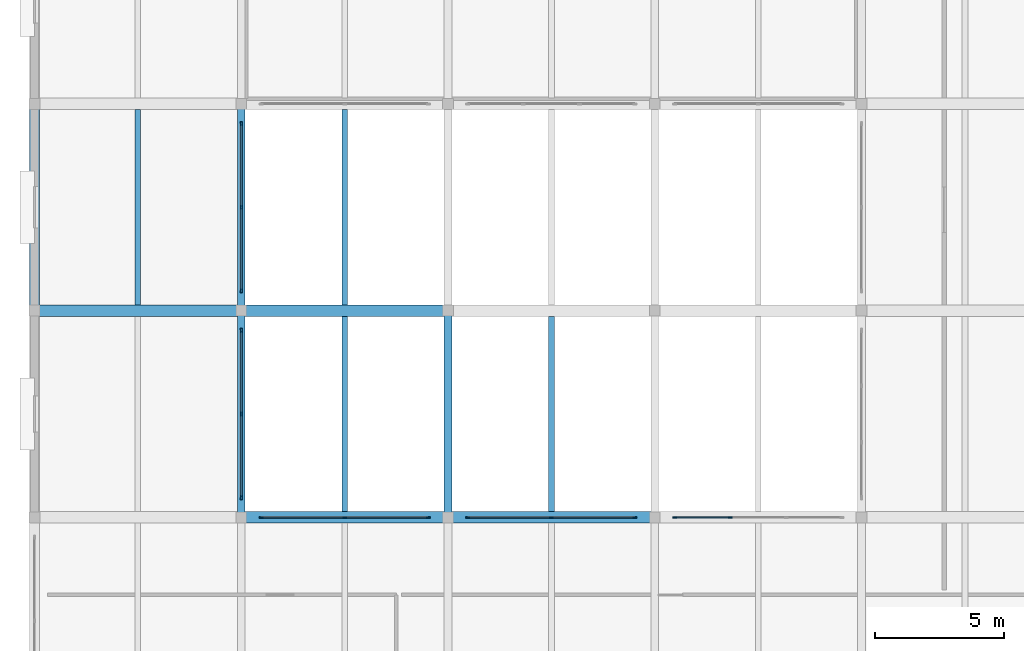
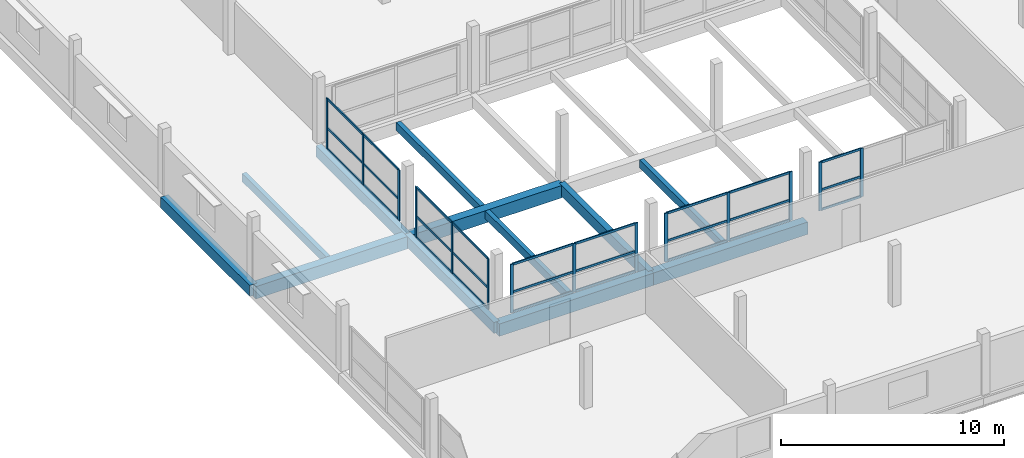
# One storey, part 7 of 51: 41 members, 12 beams, 5 elements without a shape of their own.
"""IFC4 building model written with IfcOpenShell, lengths in metres."""

from ifc_helpers import new_model, si_unit, direction, frame, origin, origin_2d, place, context, subcontext, project, spatial, rectangle, extrude, material, material_profile, profile_set, type_object, element, aggregate, save


model = new_model("IFC4")

# Units and contexts
model_context = context("Model", 3, precision=1e-05, world=origin(), true_north=direction((0.0, 1.0)))
body_context = subcontext(model_context, "Body", "Model", "MODEL_VIEW")
ifc_project = project(units=[si_unit("LENGTHUNIT", "METRE"), si_unit("AREAUNIT", "SQUARE_METRE"), si_unit("VOLUMEUNIT", "CUBIC_METRE"), si_unit("PLANEANGLEUNIT", "RADIAN"), si_unit("MASSUNIT", "GRAM", prefix="KILO")], contexts=[model_context])

# Site, building, storey
site_placement = place(None, origin())
site = spatial("IfcSite", under=ifc_project, at=site_placement, CompositionType="ELEMENT")
building_placement = place(site_placement, origin())
building = spatial("IfcBuilding", under=site, at=building_placement, Name="Vharandega Faculty of Natural Sciences", CompositionType="ELEMENT")
storey_placement = place(building_placement, frame((0.0, 0.0, 14.39990234375)))
storey = spatial("IfcBuildingStorey", under=building, at=storey_placement, Name="L03", CompositionType="ELEMENT", Elevation=14.39990234375)

# Curtain wall, members
ifc_material_1 = material(Name="Aluminium and solar-control glass curtain wall", Category="aluminium")
curtain_wall_type_1 = type_object("IfcCurtainWallType", Name="Unitised Curtain Wall System CW-22", PredefinedType="NOTDEFINED", material=ifc_material_1)
curtain_wall_1_placement = place(storey_placement, origin())
curtain_wall_1 = element("IfcCurtainWall", 1, at=curtain_wall_1_placement, inside=storey, type_object=curtain_wall_type_1, Name="Curtain Wall CW-L03-161", PredefinedType="NOTDEFINED")
ifc_material_2 = material(Name="Thermally broken aluminium 6063-T6", Category="aluminium")
ifc_material_profile_1 = material_profile(ifc_material_2, rectangle(XDim=0.06005859375, YDim=0.159912109375, at=origin_2d()), Name="ALU 60x160")
ifc_profile_set_1 = profile_set([ifc_material_profile_1], Name="Thermally broken aluminium 6063-T6")
member_type_1 = type_object("IfcMemberType", Name="CW Mullion 60x160", PredefinedType="MULLION", material=ifc_profile_set_1)
member_1_placement = place(storey_placement, frame((8.77001953125, 16.0, 0.0), z_axis=(0.0, 0.0, 1.0), x_axis=(0.0, 1.0, 0.0)))
member_1 = element("IfcMember", 2, at=member_1_placement, type_object=member_type_1, Name="CW-22 mullion 1", PredefinedType="MULLION", context=body_context, shape_type="SweptSolid", body=[
    extrude(rectangle(XDim=0.06005859375, YDim=0.159912109375, at=origin_2d()), origin(), (0.0, 0.0, 1.0), 2.66015625),
])
member_2_placement = place(storey_placement, frame((12.0, 16.0, 0.0), z_axis=(0.0, 0.0, 1.0), x_axis=(0.0, 1.0, 0.0)))
member_2 = element("IfcMember", 3, at=member_2_placement, type_object=member_type_1, Name="CW-22 mullion 2", PredefinedType="MULLION", context=body_context, shape_type="SweptSolid", body=[
    extrude(rectangle(XDim=0.06005859375, YDim=0.159912109375, at=origin_2d()), origin(), (0.0, 0.0, 1.0), 2.66015625),
])
member_3_placement = place(storey_placement, frame((15.22998046875, 16.0, 0.0), z_axis=(0.0, 0.0, 1.0), x_axis=(0.0, 1.0, 0.0)))
member_3 = element("IfcMember", 4, at=member_3_placement, type_object=member_type_1, Name="CW-22 mullion 3", PredefinedType="MULLION", context=body_context, shape_type="SweptSolid", body=[
    extrude(rectangle(XDim=0.06005859375, YDim=0.159912109375, at=origin_2d()), origin(), (0.0, 0.0, 1.0), 2.66015625),
])

ifc_material_3 = material(Name="Aluminium and solar-control glass curtain wall", Category="aluminium")
curtain_wall_type_2 = type_object("IfcCurtainWallType", Name="Unitised Curtain Wall System CW-24", PredefinedType="NOTDEFINED", material=ifc_material_3)
curtain_wall_2_placement = place(storey_placement, origin())
curtain_wall_2 = element("IfcCurtainWall", 5, at=curtain_wall_2_placement, inside=storey, type_object=curtain_wall_type_2, Name="Curtain Wall CW-L03-163", PredefinedType="NOTDEFINED")
member_4_placement = place(storey_placement, frame((16.77001953125, 16.0, 0.0), z_axis=(0.0, 0.0, 1.0), x_axis=(0.0, 1.0, 0.0)))
member_4 = element("IfcMember", 6, at=member_4_placement, type_object=member_type_1, Name="CW-24 mullion 1", PredefinedType="MULLION", context=body_context, shape_type="SweptSolid", body=[
    extrude(rectangle(XDim=0.06005859375, YDim=0.159912109375, at=origin_2d()), origin(), (0.0, 0.0, 1.0), 2.66015625),
])
member_5_placement = place(storey_placement, frame((20.0, 16.0, 0.0), z_axis=(0.0, 0.0, 1.0), x_axis=(0.0, 1.0, 0.0)))
member_5 = element("IfcMember", 7, at=member_5_placement, type_object=member_type_1, Name="CW-24 mullion 2", PredefinedType="MULLION", context=body_context, shape_type="SweptSolid", body=[
    extrude(rectangle(XDim=0.06005859375, YDim=0.159912109375, at=origin_2d()), origin(), (0.0, 0.0, 1.0), 2.66015625),
])
member_6_placement = place(storey_placement, frame((23.22998046875, 16.0, 0.0), z_axis=(0.0, 0.0, 1.0), x_axis=(0.0, 1.0, 0.0)))
member_6 = element("IfcMember", 8, at=member_6_placement, type_object=member_type_1, Name="CW-24 mullion 3", PredefinedType="MULLION", context=body_context, shape_type="SweptSolid", body=[
    extrude(rectangle(XDim=0.06005859375, YDim=0.159912109375, at=origin_2d()), origin(), (0.0, 0.0, 1.0), 2.66015625),
])

ifc_material_4 = material(Name="Aluminium and solar-control glass curtain wall", Category="aluminium")
curtain_wall_type_3 = type_object("IfcCurtainWallType", Name="Unitised Curtain Wall System CW-26", PredefinedType="NOTDEFINED", material=ifc_material_4)
curtain_wall_3_placement = place(storey_placement, origin())
curtain_wall_3 = element("IfcCurtainWall", 9, at=curtain_wall_3_placement, inside=storey, type_object=curtain_wall_type_3, Name="Curtain Wall CW-L03-165", PredefinedType="NOTDEFINED")
member_7_placement = place(storey_placement, frame((24.77001953125, 16.0, 0.0), z_axis=(0.0, 0.0, 1.0), x_axis=(0.0, 1.0, 0.0)))
member_7 = element("IfcMember", 10, at=member_7_placement, type_object=member_type_1, Name="CW-26 mullion 1", PredefinedType="MULLION", context=body_context, shape_type="SweptSolid", body=[
    extrude(rectangle(XDim=0.06005859375, YDim=0.159912109375, at=origin_2d()), origin(), (0.0, 0.0, 1.0), 2.66015625),
])
member_8_placement = place(storey_placement, frame((26.913330078125, 16.0, 0.0), z_axis=(0.0, 0.0, 1.0), x_axis=(0.0, 1.0, 0.0)))
member_8 = element("IfcMember", 11, at=member_8_placement, type_object=member_type_1, Name="CW-26 mullion 2", PredefinedType="MULLION", context=body_context, shape_type="SweptSolid", body=[
    extrude(rectangle(XDim=0.06005859375, YDim=0.159912109375, at=origin_2d()), origin(), (0.0, 0.0, 1.0), 2.66015625),
])

ifc_material_5 = material(Name="Aluminium and solar-control glass curtain wall", Category="aluminium")
curtain_wall_type_4 = type_object("IfcCurtainWallType", Name="Unitised Curtain Wall System CW-28", PredefinedType="NOTDEFINED", material=ifc_material_5)
curtain_wall_4_placement = place(storey_placement, origin())
curtain_wall_4 = element("IfcCurtainWall", 12, at=curtain_wall_4_placement, inside=storey, type_object=curtain_wall_type_4, Name="Curtain Wall CW-L03-167", PredefinedType="NOTDEFINED")
member_9_placement = place(storey_placement, frame((8.0, 16.77001953125, 0.0), z_axis=(0.0, 0.0, 1.0), x_axis=(-1.0, 0.0, 0.0)))
member_9 = element("IfcMember", 13, at=member_9_placement, type_object=member_type_1, Name="CW-28 mullion 1", PredefinedType="MULLION", context=body_context, shape_type="SweptSolid", body=[
    extrude(rectangle(XDim=0.06005859375, YDim=0.159912109375, at=origin_2d()), origin(), (0.0, 0.0, 1.0), 2.780029296875),
])
member_10_placement = place(storey_placement, frame((8.0, 20.0, 0.0), z_axis=(0.0, 0.0, 1.0), x_axis=(-1.0, 0.0, 0.0)))
member_10 = element("IfcMember", 14, at=member_10_placement, type_object=member_type_1, Name="CW-28 mullion 2", PredefinedType="MULLION", context=body_context, shape_type="SweptSolid", body=[
    extrude(rectangle(XDim=0.06005859375, YDim=0.159912109375, at=origin_2d()), origin(), (0.0, 0.0, 1.0), 2.780029296875),
])
member_11_placement = place(storey_placement, frame((8.0, 23.22998046875, 0.0), z_axis=(0.0, 0.0, 1.0), x_axis=(-1.0, 0.0, 0.0)))
member_11 = element("IfcMember", 15, at=member_11_placement, type_object=member_type_1, Name="CW-28 mullion 3", PredefinedType="MULLION", context=body_context, shape_type="SweptSolid", body=[
    extrude(rectangle(XDim=0.06005859375, YDim=0.159912109375, at=origin_2d()), origin(), (0.0, 0.0, 1.0), 2.780029296875),
])

ifc_material_6 = material(Name="Aluminium and solar-control glass curtain wall", Category="aluminium")
curtain_wall_type_5 = type_object("IfcCurtainWallType", Name="Unitised Curtain Wall System CW-02", PredefinedType="NOTDEFINED", material=ifc_material_6)
curtain_wall_5_placement = place(storey_placement, origin())
curtain_wall_5 = element("IfcCurtainWall", 16, at=curtain_wall_5_placement, inside=storey, type_object=curtain_wall_type_5, Name="Curtain Wall CW-L03-169", PredefinedType="NOTDEFINED")
member_12_placement = place(storey_placement, frame((8.0, 24.77001953125, 0.0), z_axis=(0.0, 0.0, 1.0), x_axis=(-1.0, 0.0, 0.0)))
member_12 = element("IfcMember", 17, at=member_12_placement, type_object=member_type_1, Name="CW-02 mullion 1", PredefinedType="MULLION", context=body_context, shape_type="SweptSolid", body=[
    extrude(rectangle(XDim=0.06005859375, YDim=0.159912109375, at=origin_2d()), origin(), (0.0, 0.0, 1.0), 2.780029296875),
])
member_13_placement = place(storey_placement, frame((8.0, 28.0, 0.0), z_axis=(0.0, 0.0, 1.0), x_axis=(-1.0, 0.0, 0.0)))
member_13 = element("IfcMember", 18, at=member_13_placement, type_object=member_type_1, Name="CW-02 mullion 2", PredefinedType="MULLION", context=body_context, shape_type="SweptSolid", body=[
    extrude(rectangle(XDim=0.06005859375, YDim=0.159912109375, at=origin_2d()), origin(), (0.0, 0.0, 1.0), 2.780029296875),
])
member_14_placement = place(storey_placement, frame((8.0, 31.22998046875, 0.0), z_axis=(0.0, 0.0, 1.0), x_axis=(-1.0, 0.0, 0.0)))
member_14 = element("IfcMember", 19, at=member_14_placement, type_object=member_type_1, Name="CW-02 mullion 3", PredefinedType="MULLION", context=body_context, shape_type="SweptSolid", body=[
    extrude(rectangle(XDim=0.06005859375, YDim=0.159912109375, at=origin_2d()), origin(), (0.0, 0.0, 1.0), 2.780029296875),
])

# Member
ifc_material_7 = material(Name="Thermally broken aluminium 6063-T6", Category="aluminium")
ifc_material_profile_2 = material_profile(ifc_material_7, rectangle(XDim=0.06005859375, YDim=0.1201171875, at=origin_2d()), Name="ALU 60x120")
ifc_profile_set_2 = profile_set([ifc_material_profile_2], Name="Thermally broken aluminium 6063-T6")
member_type_2 = type_object("IfcMemberType", Name="CW Transom 60x120", PredefinedType="USERDEFINED", material=ifc_profile_set_2)
member_15_placement = place(storey_placement, frame((8.800048828125, 16.0, 0.030029296875), z_axis=(1.0, 0.0, 0.0), x_axis=(0.0, 1.0, 0.0)))
member_15 = element("IfcMember", 20, at=member_15_placement, type_object=member_type_2, Name="CW-22 transom 1.1", ObjectType="TRANSOM", PredefinedType="USERDEFINED", context=body_context, shape_type="SweptSolid", body=[
    extrude(rectangle(XDim=0.06005859375, YDim=0.1201171875, at=origin_2d()), origin(), (0.0, 0.0, 1.0), 3.169921875),
])

member_16_placement = place(storey_placement, frame((8.800048828125, 16.0, 1.1171875), z_axis=(1.0, 0.0, 0.0), x_axis=(0.0, 1.0, 0.0)))
member_16 = element("IfcMember", 21, at=member_16_placement, type_object=member_type_2, Name="CW-22 transom 1.2", ObjectType="TRANSOM", PredefinedType="USERDEFINED", context=body_context, shape_type="SweptSolid", body=[
    extrude(rectangle(XDim=0.06005859375, YDim=0.1201171875, at=origin_2d()), origin(), (0.0, 0.0, 1.0), 3.169921875),
])

member_17_placement = place(storey_placement, frame((8.800048828125, 16.0, 2.630126953125), z_axis=(1.0, 0.0, 0.0), x_axis=(0.0, 1.0, 0.0)))
member_17 = element("IfcMember", 22, at=member_17_placement, type_object=member_type_2, Name="CW-22 transom 1.3", ObjectType="TRANSOM", PredefinedType="USERDEFINED", context=body_context, shape_type="SweptSolid", body=[
    extrude(rectangle(XDim=0.06005859375, YDim=0.1201171875, at=origin_2d()), origin(), (0.0, 0.0, 1.0), 3.169921875),
])

member_18_placement = place(storey_placement, frame((12.030029296875, 16.0, 0.030029296875), z_axis=(1.0, 0.0, 0.0), x_axis=(0.0, 1.0, 0.0)))
member_18 = element("IfcMember", 23, at=member_18_placement, type_object=member_type_2, Name="CW-22 transom 2.1", ObjectType="TRANSOM", PredefinedType="USERDEFINED", context=body_context, shape_type="SweptSolid", body=[
    extrude(rectangle(XDim=0.06005859375, YDim=0.1201171875, at=origin_2d()), origin(), (0.0, 0.0, 1.0), 3.169921875),
])

member_19_placement = place(storey_placement, frame((12.030029296875, 16.0, 1.1171875), z_axis=(1.0, 0.0, 0.0), x_axis=(0.0, 1.0, 0.0)))
member_19 = element("IfcMember", 24, at=member_19_placement, type_object=member_type_2, Name="CW-22 transom 2.2", ObjectType="TRANSOM", PredefinedType="USERDEFINED", context=body_context, shape_type="SweptSolid", body=[
    extrude(rectangle(XDim=0.06005859375, YDim=0.1201171875, at=origin_2d()), origin(), (0.0, 0.0, 1.0), 3.169921875),
])

member_20_placement = place(storey_placement, frame((12.030029296875, 16.0, 2.630126953125), z_axis=(1.0, 0.0, 0.0), x_axis=(0.0, 1.0, 0.0)))
member_20 = element("IfcMember", 25, at=member_20_placement, type_object=member_type_2, Name="CW-22 transom 2.3", ObjectType="TRANSOM", PredefinedType="USERDEFINED", context=body_context, shape_type="SweptSolid", body=[
    extrude(rectangle(XDim=0.06005859375, YDim=0.1201171875, at=origin_2d()), origin(), (0.0, 0.0, 1.0), 3.169921875),
])

aggregate(curtain_wall_1, [member_1, member_2, member_3, member_15, member_16, member_17, member_18, member_19, member_20])

member_21_placement = place(storey_placement, frame((16.800048828125, 16.0, 0.030029296875), z_axis=(1.0, 0.0, 0.0), x_axis=(0.0, 1.0, 0.0)))
member_21 = element("IfcMember", 26, at=member_21_placement, type_object=member_type_2, Name="CW-24 transom 1.1", ObjectType="TRANSOM", PredefinedType="USERDEFINED", context=body_context, shape_type="SweptSolid", body=[
    extrude(rectangle(XDim=0.06005859375, YDim=0.1201171875, at=origin_2d()), origin(), (0.0, 0.0, 1.0), 3.169921875),
])

member_22_placement = place(storey_placement, frame((16.800048828125, 16.0, 1.1171875), z_axis=(1.0, 0.0, 0.0), x_axis=(0.0, 1.0, 0.0)))
member_22 = element("IfcMember", 27, at=member_22_placement, type_object=member_type_2, Name="CW-24 transom 1.2", ObjectType="TRANSOM", PredefinedType="USERDEFINED", context=body_context, shape_type="SweptSolid", body=[
    extrude(rectangle(XDim=0.06005859375, YDim=0.1201171875, at=origin_2d()), origin(), (0.0, 0.0, 1.0), 3.169921875),
])

member_23_placement = place(storey_placement, frame((16.800048828125, 16.0, 2.630126953125), z_axis=(1.0, 0.0, 0.0), x_axis=(0.0, 1.0, 0.0)))
member_23 = element("IfcMember", 28, at=member_23_placement, type_object=member_type_2, Name="CW-24 transom 1.3", ObjectType="TRANSOM", PredefinedType="USERDEFINED", context=body_context, shape_type="SweptSolid", body=[
    extrude(rectangle(XDim=0.06005859375, YDim=0.1201171875, at=origin_2d()), origin(), (0.0, 0.0, 1.0), 3.169921875),
])

member_24_placement = place(storey_placement, frame((20.030029296875, 16.0, 0.030029296875), z_axis=(1.0, 0.0, 0.0), x_axis=(0.0, 1.0, 0.0)))
member_24 = element("IfcMember", 29, at=member_24_placement, type_object=member_type_2, Name="CW-24 transom 2.1", ObjectType="TRANSOM", PredefinedType="USERDEFINED", context=body_context, shape_type="SweptSolid", body=[
    extrude(rectangle(XDim=0.06005859375, YDim=0.1201171875, at=origin_2d()), origin(), (0.0, 0.0, 1.0), 3.169921875),
])

member_25_placement = place(storey_placement, frame((20.030029296875, 16.0, 1.1171875), z_axis=(1.0, 0.0, 0.0), x_axis=(0.0, 1.0, 0.0)))
member_25 = element("IfcMember", 30, at=member_25_placement, type_object=member_type_2, Name="CW-24 transom 2.2", ObjectType="TRANSOM", PredefinedType="USERDEFINED", context=body_context, shape_type="SweptSolid", body=[
    extrude(rectangle(XDim=0.06005859375, YDim=0.1201171875, at=origin_2d()), origin(), (0.0, 0.0, 1.0), 3.169921875),
])

member_26_placement = place(storey_placement, frame((20.030029296875, 16.0, 2.630126953125), z_axis=(1.0, 0.0, 0.0), x_axis=(0.0, 1.0, 0.0)))
member_26 = element("IfcMember", 31, at=member_26_placement, type_object=member_type_2, Name="CW-24 transom 2.3", ObjectType="TRANSOM", PredefinedType="USERDEFINED", context=body_context, shape_type="SweptSolid", body=[
    extrude(rectangle(XDim=0.06005859375, YDim=0.1201171875, at=origin_2d()), origin(), (0.0, 0.0, 1.0), 3.169921875),
])

aggregate(curtain_wall_2, [member_4, member_5, member_6, member_21, member_22, member_23, member_24, member_25, member_26])

member_27_placement = place(storey_placement, frame((24.800048828125, 16.0, 0.030029296875), z_axis=(1.0, 0.0, 0.0), x_axis=(0.0, 1.0, 0.0)))
member_27 = element("IfcMember", 32, at=member_27_placement, type_object=member_type_2, Name="CW-26 transom 1.1", ObjectType="TRANSOM", PredefinedType="USERDEFINED", context=body_context, shape_type="SweptSolid", body=[
    extrude(rectangle(XDim=0.06005859375, YDim=0.1201171875, at=origin_2d()), origin(), (0.0, 0.0, 1.0), 2.083251953125),
])

member_28_placement = place(storey_placement, frame((24.800048828125, 16.0, 1.1171875), z_axis=(1.0, 0.0, 0.0), x_axis=(0.0, 1.0, 0.0)))
member_28 = element("IfcMember", 33, at=member_28_placement, type_object=member_type_2, Name="CW-26 transom 1.2", ObjectType="TRANSOM", PredefinedType="USERDEFINED", context=body_context, shape_type="SweptSolid", body=[
    extrude(rectangle(XDim=0.06005859375, YDim=0.1201171875, at=origin_2d()), origin(), (0.0, 0.0, 1.0), 2.083251953125),
])

member_29_placement = place(storey_placement, frame((24.800048828125, 16.0, 2.630126953125), z_axis=(1.0, 0.0, 0.0), x_axis=(0.0, 1.0, 0.0)))
member_29 = element("IfcMember", 34, at=member_29_placement, type_object=member_type_2, Name="CW-26 transom 1.3", ObjectType="TRANSOM", PredefinedType="USERDEFINED", context=body_context, shape_type="SweptSolid", body=[
    extrude(rectangle(XDim=0.06005859375, YDim=0.1201171875, at=origin_2d()), origin(), (0.0, 0.0, 1.0), 2.083251953125),
])

aggregate(curtain_wall_3, [member_7, member_8, member_27, member_28, member_29])

member_30_placement = place(storey_placement, frame((8.0, 16.800048828125, 0.030029296875), z_axis=(0.0, 1.0, 0.0), x_axis=(-1.0, 0.0, 0.0)))
member_30 = element("IfcMember", 35, at=member_30_placement, type_object=member_type_2, Name="CW-28 transom 1.1", ObjectType="TRANSOM", PredefinedType="USERDEFINED", context=body_context, shape_type="SweptSolid", body=[
    extrude(rectangle(XDim=0.06005859375, YDim=0.1201171875, at=origin_2d()), origin(), (0.0, 0.0, 1.0), 3.169921875),
])

member_31_placement = place(storey_placement, frame((8.0, 16.800048828125, 1.167724609375), z_axis=(0.0, 1.0, 0.0), x_axis=(-1.0, 0.0, 0.0)))
member_31 = element("IfcMember", 36, at=member_31_placement, type_object=member_type_2, Name="CW-28 transom 1.2", ObjectType="TRANSOM", PredefinedType="USERDEFINED", context=body_context, shape_type="SweptSolid", body=[
    extrude(rectangle(XDim=0.06005859375, YDim=0.1201171875, at=origin_2d()), origin(), (0.0, 0.0, 1.0), 3.169921875),
])

member_32_placement = place(storey_placement, frame((8.0, 16.800048828125, 2.75), z_axis=(0.0, 1.0, 0.0), x_axis=(-1.0, 0.0, 0.0)))
member_32 = element("IfcMember", 37, at=member_32_placement, type_object=member_type_2, Name="CW-28 transom 1.3", ObjectType="TRANSOM", PredefinedType="USERDEFINED", context=body_context, shape_type="SweptSolid", body=[
    extrude(rectangle(XDim=0.06005859375, YDim=0.1201171875, at=origin_2d()), origin(), (0.0, 0.0, 1.0), 3.169921875),
])

member_33_placement = place(storey_placement, frame((8.0, 20.030029296875, 0.030029296875), z_axis=(0.0, 1.0, 0.0), x_axis=(-1.0, 0.0, 0.0)))
member_33 = element("IfcMember", 38, at=member_33_placement, type_object=member_type_2, Name="CW-28 transom 2.1", ObjectType="TRANSOM", PredefinedType="USERDEFINED", context=body_context, shape_type="SweptSolid", body=[
    extrude(rectangle(XDim=0.06005859375, YDim=0.1201171875, at=origin_2d()), origin(), (0.0, 0.0, 1.0), 3.169921875),
])

member_34_placement = place(storey_placement, frame((8.0, 20.030029296875, 1.167724609375), z_axis=(0.0, 1.0, 0.0), x_axis=(-1.0, 0.0, 0.0)))
member_34 = element("IfcMember", 39, at=member_34_placement, type_object=member_type_2, Name="CW-28 transom 2.2", ObjectType="TRANSOM", PredefinedType="USERDEFINED", context=body_context, shape_type="SweptSolid", body=[
    extrude(rectangle(XDim=0.06005859375, YDim=0.1201171875, at=origin_2d()), origin(), (0.0, 0.0, 1.0), 3.169921875),
])

member_35_placement = place(storey_placement, frame((8.0, 20.030029296875, 2.75), z_axis=(0.0, 1.0, 0.0), x_axis=(-1.0, 0.0, 0.0)))
member_35 = element("IfcMember", 40, at=member_35_placement, type_object=member_type_2, Name="CW-28 transom 2.3", ObjectType="TRANSOM", PredefinedType="USERDEFINED", context=body_context, shape_type="SweptSolid", body=[
    extrude(rectangle(XDim=0.06005859375, YDim=0.1201171875, at=origin_2d()), origin(), (0.0, 0.0, 1.0), 3.169921875),
])

aggregate(curtain_wall_4, [member_9, member_10, member_11, member_30, member_31, member_32, member_33, member_34, member_35])

member_36_placement = place(storey_placement, frame((8.0, 24.800048828125, 0.030029296875), z_axis=(0.0, 1.0, 0.0), x_axis=(-1.0, 0.0, 0.0)))
member_36 = element("IfcMember", 41, at=member_36_placement, type_object=member_type_2, Name="CW-02 transom 1.1", ObjectType="TRANSOM", PredefinedType="USERDEFINED", context=body_context, shape_type="SweptSolid", body=[
    extrude(rectangle(XDim=0.06005859375, YDim=0.1201171875, at=origin_2d()), origin(), (0.0, 0.0, 1.0), 3.169921875),
])

member_37_placement = place(storey_placement, frame((8.0, 24.800048828125, 1.167724609375), z_axis=(0.0, 1.0, 0.0), x_axis=(-1.0, 0.0, 0.0)))
member_37 = element("IfcMember", 42, at=member_37_placement, type_object=member_type_2, Name="CW-02 transom 1.2", ObjectType="TRANSOM", PredefinedType="USERDEFINED", context=body_context, shape_type="SweptSolid", body=[
    extrude(rectangle(XDim=0.06005859375, YDim=0.1201171875, at=origin_2d()), origin(), (0.0, 0.0, 1.0), 3.169921875),
])

member_38_placement = place(storey_placement, frame((8.0, 24.800048828125, 2.75), z_axis=(0.0, 1.0, 0.0), x_axis=(-1.0, 0.0, 0.0)))
member_38 = element("IfcMember", 43, at=member_38_placement, type_object=member_type_2, Name="CW-02 transom 1.3", ObjectType="TRANSOM", PredefinedType="USERDEFINED", context=body_context, shape_type="SweptSolid", body=[
    extrude(rectangle(XDim=0.06005859375, YDim=0.1201171875, at=origin_2d()), origin(), (0.0, 0.0, 1.0), 3.169921875),
])

member_39_placement = place(storey_placement, frame((8.0, 28.030029296875, 0.030029296875), z_axis=(0.0, 1.0, 0.0), x_axis=(-1.0, 0.0, 0.0)))
member_39 = element("IfcMember", 44, at=member_39_placement, type_object=member_type_2, Name="CW-02 transom 2.1", ObjectType="TRANSOM", PredefinedType="USERDEFINED", context=body_context, shape_type="SweptSolid", body=[
    extrude(rectangle(XDim=0.06005859375, YDim=0.1201171875, at=origin_2d()), origin(), (0.0, 0.0, 1.0), 3.169921875),
])

member_40_placement = place(storey_placement, frame((8.0, 28.030029296875, 1.167724609375), z_axis=(0.0, 1.0, 0.0), x_axis=(-1.0, 0.0, 0.0)))
member_40 = element("IfcMember", 45, at=member_40_placement, type_object=member_type_2, Name="CW-02 transom 2.2", ObjectType="TRANSOM", PredefinedType="USERDEFINED", context=body_context, shape_type="SweptSolid", body=[
    extrude(rectangle(XDim=0.06005859375, YDim=0.1201171875, at=origin_2d()), origin(), (0.0, 0.0, 1.0), 3.169921875),
])

member_41_placement = place(storey_placement, frame((8.0, 28.030029296875, 2.75), z_axis=(0.0, 1.0, 0.0), x_axis=(-1.0, 0.0, 0.0)))
member_41 = element("IfcMember", 46, at=member_41_placement, type_object=member_type_2, Name="CW-02 transom 2.3", ObjectType="TRANSOM", PredefinedType="USERDEFINED", context=body_context, shape_type="SweptSolid", body=[
    extrude(rectangle(XDim=0.06005859375, YDim=0.1201171875, at=origin_2d()), origin(), (0.0, 0.0, 1.0), 3.169921875),
])

aggregate(curtain_wall_5, [member_12, member_13, member_14, member_36, member_37, member_38, member_39, member_40, member_41])

# Beams
ifc_material_8 = material(Name="Glulam GL28h", Category="wood")
ifc_material_profile_3 = material_profile(ifc_material_8, rectangle(XDim=0.300048828125, YDim=0.60009765625, at=origin_2d()), Name="GL28h 300x600")
ifc_profile_set_3 = profile_set([ifc_material_profile_3], Name="Glulam GL28h")
beam_type_1 = type_object("IfcBeamType", Name="Glulam Floor Beam 300x600", PredefinedType="BEAM", material=ifc_profile_set_3)
for number, where, z_axis, x_axis, name in (
    (47, (8.0, 16.0, -0.539794921875), (0.0, 1.0, 0.0), (-1.0, 0.0, 0.0), "Beam L03 2/C-D"),
    (48, (8.0, 24.0, -0.539794921875), (0.0, 1.0, 0.0), (-1.0, 0.0, 0.0), "Beam L03 2/D-E"),
    (49, (16.0, 16.0, -0.539794921875), (0.0, 1.0, 0.0), (-1.0, 0.0, 0.0), "Beam L03 3/C-D"),
):
    element("IfcBeam", number, at=place(storey_placement, frame(where, z_axis=z_axis, x_axis=x_axis)), inside=storey, type_object=beam_type_1, Name=name, PredefinedType="BEAM", context=body_context, shape_type="SweptSolid", body=[
        extrude(rectangle(XDim=0.300048828125, YDim=0.60009765625, at=origin_2d()), origin(), (0.0, 0.0, 1.0), 8.0),
    ])
ifc_material_9 = material(Name="Glulam GL32h", Category="wood")
ifc_material_profile_4 = material_profile(ifc_material_9, rectangle(XDim=0.43994140625, YDim=0.679931640625, at=origin_2d()), Name="GL32h 440x680")
ifc_profile_set_4 = profile_set([ifc_material_profile_4], Name="Glulam GL32h")
beam_type_2 = type_object("IfcBeamType", Name="Glulam Girder 440x680", PredefinedType="BEAM", material=ifc_profile_set_4)
for number, where, z_axis, x_axis, name in (
    (50, (8.0, 16.0, -0.579833984375), (1.0, 0.0, 0.0), (0.0, 1.0, 0.0), "Beam L03 C/2-3"),
    (51, (16.0, 16.0, -0.579833984375), (1.0, 0.0, 0.0), (0.0, 1.0, 0.0), "Beam L03 C/3-4"),
    (52, (0.0, 24.0, -0.579833984375), (1.0, 0.0, 0.0), (0.0, 1.0, 0.0), "Beam L03 D/1-2"),
    (53, (8.0, 24.0, -0.579833984375), (1.0, 0.0, 0.0), (0.0, 1.0, 0.0), "Beam L03 D/2-3"),
):
    element("IfcBeam", number, at=place(storey_placement, frame(where, z_axis=z_axis, x_axis=x_axis)), inside=storey, type_object=beam_type_2, Name=name, PredefinedType="BEAM", context=body_context, shape_type="SweptSolid", body=[
        extrude(rectangle(XDim=0.43994140625, YDim=0.679931640625, at=origin_2d()), origin(), (0.0, 0.0, 1.0), 8.0),
    ])
ifc_material_10 = material(Name="Glulam GL28h", Category="wood")
ifc_material_profile_5 = material_profile(ifc_material_10, rectangle(XDim=0.219970703125, YDim=0.43994140625, at=origin_2d()), Name="GL28h 220x440")
ifc_profile_set_5 = profile_set([ifc_material_profile_5], Name="Glulam GL28h")
beam_type_3 = type_object("IfcBeamType", Name="Glulam Secondary Joist 220x440", PredefinedType="JOIST", material=ifc_profile_set_5)
for number, where, z_axis, x_axis, name in (
    (54, (4.0, 24.219970703125, -0.4599609375), (0.0, 1.0, 0.0), (-1.0, 0.0, 0.0), "Secondary Joist L03 1-2/D-E"),
    (55, (12.0, 16.219970703125, -0.4599609375), (0.0, 1.0, 0.0), (-1.0, 0.0, 0.0), "Secondary Joist L03 2-3/C-D"),
    (56, (12.0, 24.219970703125, -0.4599609375), (0.0, 1.0, 0.0), (-1.0, 0.0, 0.0), "Secondary Joist L03 2-3/D-E"),
    (57, (20.0, 16.219970703125, -0.4599609375), (0.0, 1.0, 0.0), (-1.0, 0.0, 0.0), "Secondary Joist L03 3-4/C-D"),
):
    element("IfcBeam", number, at=place(storey_placement, frame(where, z_axis=z_axis, x_axis=x_axis)), inside=storey, type_object=beam_type_3, Name=name, PredefinedType="JOIST", context=body_context, shape_type="SweptSolid", body=[
        extrude(rectangle(XDim=0.219970703125, YDim=0.43994140625, at=origin_2d()), origin(), (0.0, 0.0, 1.0), 7.56005859375),
    ])
ifc_material_11 = material(Name="Glulam GL32h", Category="wood")
ifc_material_profile_6 = material_profile(ifc_material_11, rectangle(XDim=0.39990234375, YDim=0.60009765625, at=origin_2d()), Name="GL32h 400x600")
ifc_profile_set_6 = profile_set([ifc_material_profile_6], Name="Glulam GL32h")
beam_type_4 = type_object("IfcBeamType", Name="Glulam Spine Girder 400x600", PredefinedType="BEAM", material=ifc_profile_set_6)
beam_placement = place(storey_placement, frame((0.0, 24.0, -0.539794921875), z_axis=(0.0, 1.0, 0.0), x_axis=(-1.0, 0.0, 0.0)))
element("IfcBeam", 58, at=beam_placement, inside=storey, type_object=beam_type_4, Name="Beam L03 1/D-E", PredefinedType="BEAM", context=body_context, shape_type="SweptSolid", body=[
    extrude(rectangle(XDim=0.39990234375, YDim=0.60009765625, at=origin_2d()), origin(), (0.0, 0.0, 1.0), 8.0),
])

save(model, "model.ifc")
